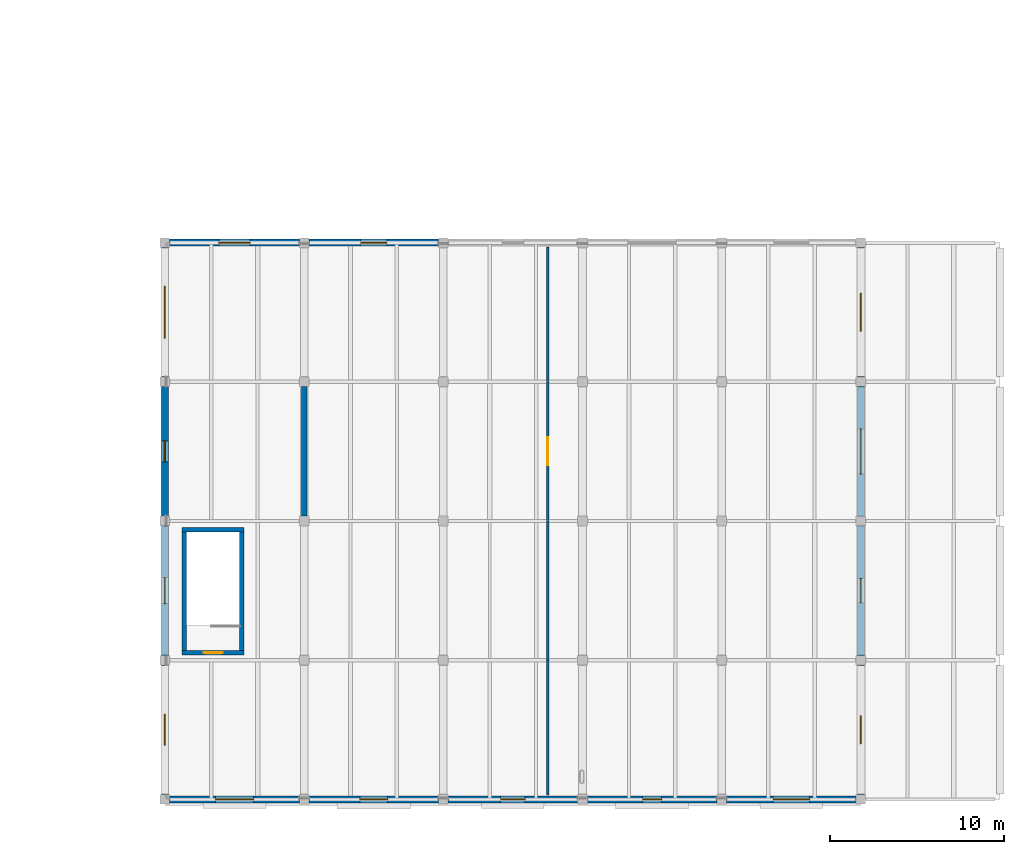
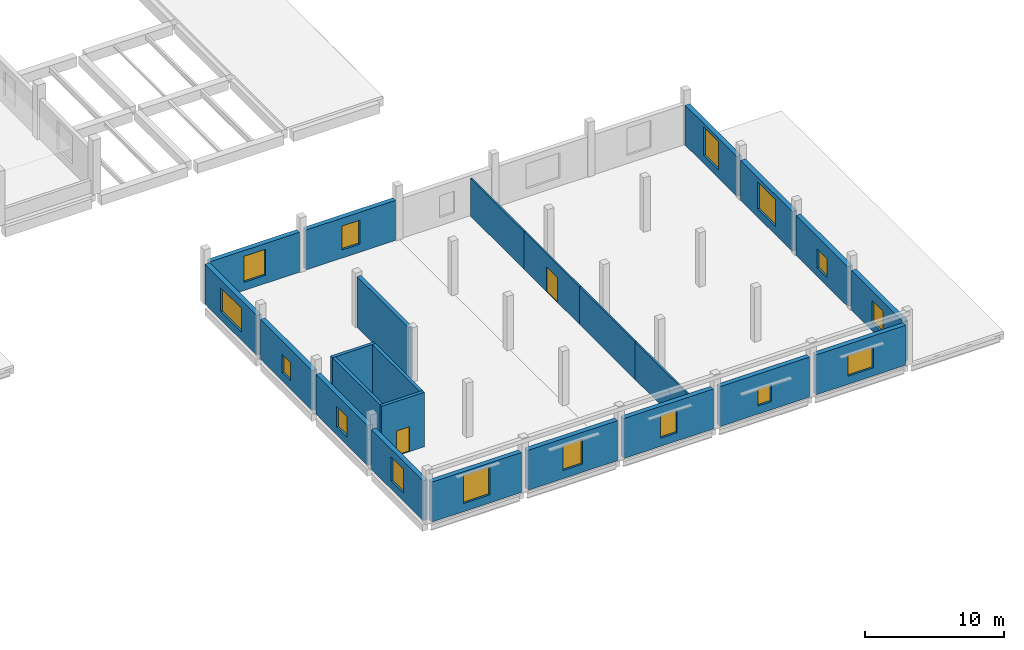
# One storey, part 34 of 52: 24 walls, 15 windows, 2 doors, 17 openings.
"""IFC4 building model written with IfcOpenShell, lengths in metres."""

from ifc_helpers import new_model, si_unit, direction, frame, frame_2d, origin, place, context, subcontext, project, spatial, rectangle, extrude, material, layer, layer_set, type_object, element, fill, save


model = new_model("IFC4")

# Units and contexts
model_context = context("Model", 3, precision=1e-05, world=origin(), true_north=direction((0.0, 1.0)))
body_context = subcontext(model_context, "Body", "Model", "MODEL_VIEW")
ifc_project = project(units=[si_unit("LENGTHUNIT", "METRE"), si_unit("AREAUNIT", "SQUARE_METRE"), si_unit("VOLUMEUNIT", "CUBIC_METRE"), si_unit("PLANEANGLEUNIT", "RADIAN"), si_unit("MASSUNIT", "GRAM", prefix="KILO")], contexts=[model_context])

# Site, building, storey
site_placement = place(None, origin())
site = spatial("IfcSite", under=ifc_project, at=site_placement, CompositionType="ELEMENT")
building_placement = place(site_placement, origin())
building = spatial("IfcBuilding", under=site, at=building_placement, Name="Pecanmere Concourse Central Library", CompositionType="ELEMENT")
storey_placement = place(building_placement, frame((0.0, 0.0, 10.5)))
storey = spatial("IfcBuildingStorey", under=building, at=storey_placement, Name="L03", CompositionType="ELEMENT", Elevation=10.5)

# Wall, opening, window
ifc_material_1 = material(Name="Texas cream limestone ashlar masonry", Category="masonry")
ifc_layer_1 = layer(ifc_material_1, 0.389892578125, Name="EW_LIME_390")
ifc_layer_set_1 = layer_set([ifc_layer_1], Name="Texas cream limestone ashlar masonry")
wall_type_1 = type_object("IfcWallType", Name="EW_LIME_390", PredefinedType="STANDARD", material=ifc_layer_set_1)
wall_1_placement = place(storey_placement, frame((128.27001953125, 0.0, 0.0), z_axis=(0.0, 0.0, 1.0), x_axis=(1.0, 0.0, 0.0)))
wall_1 = element("IfcWall", 1, at=wall_1_placement, inside=storey, type_object=wall_type_1, Name="Limestone Facade Wall L03-0110", PredefinedType="STANDARD", context=body_context, shape_type="SweptSolid", body=[
    extrude(rectangle(XDim=7.4599609375, YDim=0.389892578125, at=frame_2d((3.72998046875, 0.0))), origin(), (0.0, 0.0, 1.0), 3.52001953125),
])
opening_1_placement = place(wall_1_placement, frame((2.6298828125, 0.0, 0.719970703125)))
opening_1 = element("IfcOpeningElement", 2, at=opening_1_placement, cuts=wall_1, Name="Opening WN-02", PredefinedType="OPENING", context=body_context, shape_type="SweptSolid", body=[
    extrude(rectangle(XDim=2.199951171875, YDim=2.5, at=frame_2d((1.10009765625, 1.25))), frame((0.0, 0.20703125, 0.0), z_axis=(0.0, -1.0, 0.0), x_axis=(1.0, 0.0, 0.0)), (0.0, 0.0, 1.0), 0.413818359375),
])
ifc_material_2 = material(Name="Low-iron clear insulated glazing", Category="glass")
window_type_1 = type_object("IfcWindowType", Name="WIN_2200x2500", PartitioningType="SINGLE_PANEL", PredefinedType="WINDOW", material=ifc_material_2)
window_1_placement = place(opening_1_placement, origin())
window_1 = element("IfcWindow", 3, at=window_1_placement, inside=storey, type_object=window_type_1, Name="WN-095", OverallHeight=2.5, OverallWidth=2.199951171875, PartitioningType="SINGLE_PANEL", PredefinedType="WINDOW", context=body_context, shape_type="SweptSolid", body=[
    extrude(rectangle(XDim=2.199951171875, YDim=2.5, at=frame_2d((1.10009765625, 1.25))), frame((0.0, 0.030029296875, 0.0), z_axis=(0.0, -1.0, 0.0), x_axis=(1.0, 0.0, 0.0)), (0.0, 0.0, 1.0), 0.06005859375),
])
fill(opening_1, window_1)

wall_2_placement = place(storey_placement, frame((135.72998046875, 32.0, 0.0), z_axis=(0.0, 0.0, 1.0), x_axis=(-1.0, 0.0, 0.0)))
wall_2 = element("IfcWall", 4, at=wall_2_placement, inside=storey, type_object=wall_type_1, Name="Limestone Facade Wall L03-0111", PredefinedType="STANDARD", context=body_context, shape_type="SweptSolid", body=[
    extrude(rectangle(XDim=7.4599609375, YDim=0.389892578125, at=frame_2d((3.72998046875, 0.0))), origin(), (0.0, 0.0, 1.0), 3.52001953125),
])
opening_2_placement = place(wall_2_placement, frame((2.830078125, 0.0, 0.719970703125)))
opening_2 = element("IfcOpeningElement", 5, at=opening_2_placement, cuts=wall_2, Name="Opening WN-04", PredefinedType="OPENING", context=body_context, shape_type="SweptSolid", body=[
    extrude(rectangle(XDim=1.800048828125, YDim=2.300048828125, at=frame_2d((0.89990234375, 1.14990234375))), frame((0.0, 0.20703125, 0.0), z_axis=(0.0, -1.0, 0.0), x_axis=(1.0, 0.0, 0.0)), (0.0, 0.0, 1.0), 0.413818359375),
])
ifc_material_3 = material(Name="Low-iron clear insulated glazing", Category="glass")
window_type_2 = type_object("IfcWindowType", Name="WIN_1800x2300", PartitioningType="SINGLE_PANEL", PredefinedType="WINDOW", material=ifc_material_3)
window_2_placement = place(opening_2_placement, origin())
window_2 = element("IfcWindow", 6, at=window_2_placement, inside=storey, type_object=window_type_2, Name="WN-096", OverallHeight=2.300048828125, OverallWidth=1.800048828125, PartitioningType="SINGLE_PANEL", PredefinedType="WINDOW", context=body_context, shape_type="SweptSolid", body=[
    extrude(rectangle(XDim=1.800048828125, YDim=2.300048828125, at=frame_2d((0.89990234375, 1.14990234375))), frame((0.0, 0.030029296875, 0.0), z_axis=(0.0, -1.0, 0.0), x_axis=(1.0, 0.0, 0.0)), (0.0, 0.0, 1.0), 0.06005859375),
])
fill(opening_2, window_2)

wall_3_placement = place(storey_placement, frame((136.27001953125, 0.0, 0.0), z_axis=(0.0, 0.0, 1.0), x_axis=(1.0, 0.0, 0.0)))
wall_3 = element("IfcWall", 7, at=wall_3_placement, inside=storey, type_object=wall_type_1, Name="Limestone Facade Wall L03-0112", PredefinedType="STANDARD", context=body_context, shape_type="SweptSolid", body=[
    extrude(rectangle(XDim=7.4599609375, YDim=0.389892578125, at=frame_2d((3.72998046875, 0.0))), origin(), (0.0, 0.0, 1.0), 3.52001953125),
])
opening_3_placement = place(wall_3_placement, frame((2.929931640625, 0.0, 0.719970703125)))
opening_3 = element("IfcOpeningElement", 8, at=opening_3_placement, cuts=wall_3, Name="Opening WN-06", PredefinedType="OPENING", context=body_context, shape_type="SweptSolid", body=[
    extrude(rectangle(XDim=1.60009765625, YDim=2.199951171875, at=frame_2d((0.800048828125, 1.10009765625))), frame((0.0, 0.20703125, 0.0), z_axis=(0.0, -1.0, 0.0), x_axis=(1.0, 0.0, 0.0)), (0.0, 0.0, 1.0), 0.413818359375),
])
ifc_material_4 = material(Name="Low-iron clear insulated glazing", Category="glass")
window_type_3 = type_object("IfcWindowType", Name="WIN_1600x2200", PartitioningType="SINGLE_PANEL", PredefinedType="WINDOW", material=ifc_material_4)
window_3_placement = place(opening_3_placement, origin())
window_3 = element("IfcWindow", 9, at=window_3_placement, inside=storey, type_object=window_type_3, Name="WN-097", OverallHeight=2.199951171875, OverallWidth=1.60009765625, PartitioningType="SINGLE_PANEL", PredefinedType="WINDOW", context=body_context, shape_type="SweptSolid", body=[
    extrude(rectangle(XDim=1.60009765625, YDim=2.199951171875, at=frame_2d((0.800048828125, 1.10009765625))), frame((0.0, 0.030029296875, 0.0), z_axis=(0.0, -1.0, 0.0), x_axis=(1.0, 0.0, 0.0)), (0.0, 0.0, 1.0), 0.06005859375),
])
fill(opening_3, window_3)

wall_4_placement = place(storey_placement, frame((143.72998046875, 32.0, 0.0), z_axis=(0.0, 0.0, 1.0), x_axis=(-1.0, 0.0, 0.0)))
wall_4 = element("IfcWall", 10, at=wall_4_placement, inside=storey, type_object=wall_type_1, Name="Limestone Facade Wall L03-0113", PredefinedType="STANDARD", context=body_context, shape_type="SweptSolid", body=[
    extrude(rectangle(XDim=7.4599609375, YDim=0.389892578125, at=frame_2d((3.72998046875, 0.0))), origin(), (0.0, 0.0, 1.0), 3.52001953125),
])
opening_4_placement = place(wall_4_placement, frame((2.97998046875, 0.0, 0.719970703125)))
opening_4 = element("IfcOpeningElement", 11, at=opening_4_placement, cuts=wall_4, Name="Opening WN-08", PredefinedType="OPENING", context=body_context, shape_type="SweptSolid", body=[
    extrude(rectangle(XDim=1.5, YDim=2.10009765625, at=frame_2d((0.75, 1.050048828125))), frame((0.0, 0.20703125, 0.0), z_axis=(0.0, -1.0, 0.0), x_axis=(1.0, 0.0, 0.0)), (0.0, 0.0, 1.0), 0.413818359375),
])
ifc_material_5 = material(Name="Low-iron clear insulated glazing", Category="glass")
window_type_4 = type_object("IfcWindowType", Name="WIN_1500x2100", PartitioningType="SINGLE_PANEL", PredefinedType="WINDOW", material=ifc_material_5)
window_4_placement = place(opening_4_placement, origin())
window_4 = element("IfcWindow", 12, at=window_4_placement, inside=storey, type_object=window_type_4, Name="WN-098", OverallHeight=2.10009765625, OverallWidth=1.5, PartitioningType="SINGLE_PANEL", PredefinedType="WINDOW", context=body_context, shape_type="SweptSolid", body=[
    extrude(rectangle(XDim=1.5, YDim=2.10009765625, at=frame_2d((0.75, 1.050048828125))), frame((0.0, 0.030029296875, 0.0), z_axis=(0.0, -1.0, 0.0), x_axis=(1.0, 0.0, 0.0)), (0.0, 0.0, 1.0), 0.06005859375),
])
fill(opening_4, window_4)

wall_5_placement = place(storey_placement, frame((144.27001953125, 0.0, 0.0), z_axis=(0.0, 0.0, 1.0), x_axis=(1.0, 0.0, 0.0)))
wall_5 = element("IfcWall", 13, at=wall_5_placement, inside=storey, type_object=wall_type_1, Name="Limestone Facade Wall L03-0114", PredefinedType="STANDARD", context=body_context, shape_type="SweptSolid", body=[
    extrude(rectangle(XDim=7.4599609375, YDim=0.389892578125, at=frame_2d((3.72998046875, 0.0))), origin(), (0.0, 0.0, 1.0), 3.52001953125),
])
opening_5_placement = place(wall_5_placement, frame((3.030029296875, 0.0, 0.719970703125)))
opening_5 = element("IfcOpeningElement", 14, at=opening_5_placement, cuts=wall_5, Name="Opening WN-10", PredefinedType="OPENING", context=body_context, shape_type="SweptSolid", body=[
    extrude(rectangle(XDim=1.39990234375, YDim=2.0, at=frame_2d((0.699951171875, 1.0))), frame((0.0, 0.20703125, 0.0), z_axis=(0.0, -1.0, 0.0), x_axis=(1.0, 0.0, 0.0)), (0.0, 0.0, 1.0), 0.413818359375),
])
ifc_material_6 = material(Name="Low-iron clear insulated glazing", Category="glass")
window_type_5 = type_object("IfcWindowType", Name="WIN_1400x2000", PartitioningType="SINGLE_PANEL", PredefinedType="WINDOW", material=ifc_material_6)
window_5_placement = place(opening_5_placement, origin())
window_5 = element("IfcWindow", 15, at=window_5_placement, inside=storey, type_object=window_type_5, Name="WN-099", OverallHeight=2.0, OverallWidth=1.39990234375, PartitioningType="SINGLE_PANEL", PredefinedType="WINDOW", context=body_context, shape_type="SweptSolid", body=[
    extrude(rectangle(XDim=1.39990234375, YDim=2.0, at=frame_2d((0.699951171875, 1.0))), frame((0.0, 0.030029296875, 0.0), z_axis=(0.0, -1.0, 0.0), x_axis=(1.0, 0.0, 0.0)), (0.0, 0.0, 1.0), 0.06005859375),
])
fill(opening_5, window_5)

wall_6_placement = place(storey_placement, frame((152.27001953125, 0.0, 0.0), z_axis=(0.0, 0.0, 1.0), x_axis=(1.0, 0.0, 0.0)))
wall_6 = element("IfcWall", 16, at=wall_6_placement, inside=storey, type_object=wall_type_1, Name="Limestone Facade Wall L03-0116", PredefinedType="STANDARD", context=body_context, shape_type="SweptSolid", body=[
    extrude(rectangle(XDim=7.4599609375, YDim=0.389892578125, at=frame_2d((3.72998046875, 0.0))), origin(), (0.0, 0.0, 1.0), 3.52001953125),
])
opening_6_placement = place(wall_6_placement, frame((3.179931640625, 0.0, 0.719970703125)))
opening_6 = element("IfcOpeningElement", 17, at=opening_6_placement, cuts=wall_6, Name="Opening WN-14", PredefinedType="OPENING", context=body_context, shape_type="SweptSolid", body=[
    extrude(rectangle(XDim=1.10009765625, YDim=1.5, at=frame_2d((0.550048828125, 0.75))), frame((0.0, 0.20703125, 0.0), z_axis=(0.0, -1.0, 0.0), x_axis=(1.0, 0.0, 0.0)), (0.0, 0.0, 1.0), 0.413818359375),
])
ifc_material_7 = material(Name="Low-iron clear insulated glazing", Category="glass")
window_type_6 = type_object("IfcWindowType", Name="WIN_1100x1500", PartitioningType="SINGLE_PANEL", PredefinedType="WINDOW", material=ifc_material_7)
window_6_placement = place(opening_6_placement, origin())
window_6 = element("IfcWindow", 18, at=window_6_placement, inside=storey, type_object=window_type_6, Name="WN-101", OverallHeight=1.5, OverallWidth=1.10009765625, PartitioningType="SINGLE_PANEL", PredefinedType="WINDOW", context=body_context, shape_type="SweptSolid", body=[
    extrude(rectangle(XDim=1.10009765625, YDim=1.5, at=frame_2d((0.550048828125, 0.75))), frame((0.0, 0.030029296875, 0.0), z_axis=(0.0, -1.0, 0.0), x_axis=(1.0, 0.0, 0.0)), (0.0, 0.0, 1.0), 0.06005859375),
])
fill(opening_6, window_6)

wall_7_placement = place(storey_placement, frame((160.27001953125, 0.0, 0.0), z_axis=(0.0, 0.0, 1.0), x_axis=(1.0, 0.0, 0.0)))
wall_7 = element("IfcWall", 19, at=wall_7_placement, inside=storey, type_object=wall_type_1, Name="Limestone Facade Wall L03-0118", PredefinedType="STANDARD", context=body_context, shape_type="SweptSolid", body=[
    extrude(rectangle(XDim=7.4599609375, YDim=0.389892578125, at=frame_2d((3.72998046875, 0.0))), origin(), (0.0, 0.0, 1.0), 3.52001953125),
])
opening_7_placement = place(wall_7_placement, frame((2.679931640625, 0.0, 0.719970703125)))
opening_7 = element("IfcOpeningElement", 20, at=opening_7_placement, cuts=wall_7, Name="Opening WN-18", PredefinedType="OPENING", context=body_context, shape_type="SweptSolid", body=[
    extrude(rectangle(XDim=2.10009765625, YDim=1.85009765625, at=frame_2d((1.050048828125, 0.925048828125))), frame((0.0, 0.20703125, 0.0), z_axis=(0.0, -1.0, 0.0), x_axis=(1.0, 0.0, 0.0)), (0.0, 0.0, 1.0), 0.413818359375),
])
ifc_material_8 = material(Name="Low-iron clear insulated glazing", Category="glass")
window_type_7 = type_object("IfcWindowType", Name="WIN_2100x1850", PartitioningType="SINGLE_PANEL", PredefinedType="WINDOW", material=ifc_material_8)
window_7_placement = place(opening_7_placement, origin())
window_7 = element("IfcWindow", 21, at=window_7_placement, inside=storey, type_object=window_type_7, Name="WN-103", OverallHeight=1.85009765625, OverallWidth=2.10009765625, PartitioningType="SINGLE_PANEL", PredefinedType="WINDOW", context=body_context, shape_type="SweptSolid", body=[
    extrude(rectangle(XDim=2.10009765625, YDim=1.85009765625, at=frame_2d((1.050048828125, 0.925048828125))), frame((0.0, 0.030029296875, 0.0), z_axis=(0.0, -1.0, 0.0), x_axis=(1.0, 0.0, 0.0)), (0.0, 0.0, 1.0), 0.06005859375),
])
fill(opening_7, window_7)

wall_8_placement = place(storey_placement, frame((128.0, 7.72998046875, 0.0), z_axis=(0.0, 0.0, 1.0), x_axis=(0.0, -1.0, 0.0)))
wall_8 = element("IfcWall", 22, at=wall_8_placement, inside=storey, type_object=wall_type_1, Name="Limestone Facade Wall L03-0120", PredefinedType="STANDARD", context=body_context, shape_type="SweptSolid", body=[
    extrude(rectangle(XDim=7.4599609375, YDim=0.389892578125, at=frame_2d((3.72998046875, 0.0))), origin(), (0.0, 0.0, 1.0), 3.52001953125),
])
opening_8_placement = place(wall_8_placement, frame((2.830078125, 0.0, 0.719970703125)))
opening_8 = element("IfcOpeningElement", 23, at=opening_8_placement, cuts=wall_8, Name="Opening WN-05", PredefinedType="OPENING", context=body_context, shape_type="SweptSolid", body=[
    extrude(rectangle(XDim=1.800048828125, YDim=2.10009765625, at=frame_2d((0.89990234375, 1.050048828125))), frame((0.0, 0.20703125, 0.0), z_axis=(0.0, -1.0, 0.0), x_axis=(1.0, 0.0, 0.0)), (0.0, 0.0, 1.0), 0.413818359375),
])
ifc_material_9 = material(Name="Low-iron clear insulated glazing", Category="glass")
window_type_8 = type_object("IfcWindowType", Name="WIN_1800x2100", PartitioningType="SINGLE_PANEL", PredefinedType="WINDOW", material=ifc_material_9)
window_8_placement = place(opening_8_placement, origin())
window_8 = element("IfcWindow", 24, at=window_8_placement, inside=storey, type_object=window_type_8, Name="WN-105", OverallHeight=2.10009765625, OverallWidth=1.800048828125, PartitioningType="SINGLE_PANEL", PredefinedType="WINDOW", context=body_context, shape_type="SweptSolid", body=[
    extrude(rectangle(XDim=1.800048828125, YDim=2.10009765625, at=frame_2d((0.89990234375, 1.050048828125))), frame((0.0, 0.030029296875, 0.0), z_axis=(0.0, -1.0, 0.0), x_axis=(1.0, 0.0, 0.0)), (0.0, 0.0, 1.0), 0.06005859375),
])
fill(opening_8, window_8)

wall_9_placement = place(storey_placement, frame((168.0, 0.27001953125, 0.0), z_axis=(0.0, 0.0, 1.0), x_axis=(0.0, 1.0, 0.0)))
wall_9 = element("IfcWall", 25, at=wall_9_placement, inside=storey, type_object=wall_type_1, Name="Limestone Facade Wall L03-0121", PredefinedType="STANDARD", context=body_context, shape_type="SweptSolid", body=[
    extrude(rectangle(XDim=7.4599609375, YDim=0.389892578125, at=frame_2d((3.72998046875, 0.0))), origin(), (0.0, 0.0, 1.0), 3.52001953125),
])
opening_9_placement = place(wall_9_placement, frame((2.929931640625, 0.0, 0.719970703125)))
opening_9 = element("IfcOpeningElement", 26, at=opening_9_placement, cuts=wall_9, Name="Opening WN-07", PredefinedType="OPENING", context=body_context, shape_type="SweptSolid", body=[
    extrude(rectangle(XDim=1.60009765625, YDim=1.949951171875, at=frame_2d((0.800048828125, 0.97509765625))), frame((0.0, 0.20703125, 0.0), z_axis=(0.0, -1.0, 0.0), x_axis=(1.0, 0.0, 0.0)), (0.0, 0.0, 1.0), 0.413818359375),
])
ifc_material_10 = material(Name="Low-iron clear insulated glazing", Category="glass")
window_type_9 = type_object("IfcWindowType", Name="WIN_1600x1950", PartitioningType="SINGLE_PANEL", PredefinedType="WINDOW", material=ifc_material_10)
window_9_placement = place(opening_9_placement, origin())
window_9 = element("IfcWindow", 27, at=window_9_placement, inside=storey, type_object=window_type_9, Name="WN-106", OverallHeight=1.949951171875, OverallWidth=1.60009765625, PartitioningType="SINGLE_PANEL", PredefinedType="WINDOW", context=body_context, shape_type="SweptSolid", body=[
    extrude(rectangle(XDim=1.60009765625, YDim=1.949951171875, at=frame_2d((0.800048828125, 0.97509765625))), frame((0.0, 0.030029296875, 0.0), z_axis=(0.0, -1.0, 0.0), x_axis=(1.0, 0.0, 0.0)), (0.0, 0.0, 1.0), 0.06005859375),
])
fill(opening_9, window_9)

wall_10_placement = place(storey_placement, frame((128.0, 15.72998046875, 0.0), z_axis=(0.0, 0.0, 1.0), x_axis=(0.0, -1.0, 0.0)))
wall_10 = element("IfcWall", 28, at=wall_10_placement, inside=storey, type_object=wall_type_1, Name="Limestone Facade Wall L03-0122", PredefinedType="STANDARD", context=body_context, shape_type="SweptSolid", body=[
    extrude(rectangle(XDim=7.4599609375, YDim=0.389892578125, at=frame_2d((3.72998046875, 0.0))), origin(), (0.0, 0.0, 1.0), 3.52001953125),
])
opening_10_placement = place(wall_10_placement, frame((2.97998046875, 0.0, 0.719970703125)))
opening_10 = element("IfcOpeningElement", 29, at=opening_10_placement, cuts=wall_10, Name="Opening WN-09", PredefinedType="OPENING", context=body_context, shape_type="SweptSolid", body=[
    extrude(rectangle(XDim=1.5, YDim=1.800048828125, at=frame_2d((0.75, 0.89990234375))), frame((0.0, 0.20703125, 0.0), z_axis=(0.0, -1.0, 0.0), x_axis=(1.0, 0.0, 0.0)), (0.0, 0.0, 1.0), 0.413818359375),
])
ifc_material_11 = material(Name="Low-iron clear insulated glazing", Category="glass")
window_type_10 = type_object("IfcWindowType", Name="WIN_1500x1800", PartitioningType="SINGLE_PANEL", PredefinedType="WINDOW", material=ifc_material_11)
window_10_placement = place(opening_10_placement, origin())
window_10 = element("IfcWindow", 30, at=window_10_placement, inside=storey, type_object=window_type_10, Name="WN-107", OverallHeight=1.800048828125, OverallWidth=1.5, PartitioningType="SINGLE_PANEL", PredefinedType="WINDOW", context=body_context, shape_type="SweptSolid", body=[
    extrude(rectangle(XDim=1.5, YDim=1.800048828125, at=frame_2d((0.75, 0.89990234375))), frame((0.0, 0.030029296875, 0.0), z_axis=(0.0, -1.0, 0.0), x_axis=(1.0, 0.0, 0.0)), (0.0, 0.0, 1.0), 0.06005859375),
])
fill(opening_10, window_10)

wall_11_placement = place(storey_placement, frame((168.0, 8.27001953125, 0.0), z_axis=(0.0, 0.0, 1.0), x_axis=(0.0, 1.0, 0.0)))
wall_11 = element("IfcWall", 31, at=wall_11_placement, inside=storey, type_object=wall_type_1, Name="Limestone Facade Wall L03-0123", PredefinedType="STANDARD", context=body_context, shape_type="SweptSolid", body=[
    extrude(rectangle(XDim=7.4599609375, YDim=0.389892578125, at=frame_2d((3.72998046875, 0.0))), origin(), (0.0, 0.0, 1.0), 3.52001953125),
])
opening_11_placement = place(wall_11_placement, frame((3.030029296875, 0.0, 0.719970703125)))
opening_11 = element("IfcOpeningElement", 32, at=opening_11_placement, cuts=wall_11, Name="Opening WN-11", PredefinedType="OPENING", context=body_context, shape_type="SweptSolid", body=[
    extrude(rectangle(XDim=1.39990234375, YDim=1.699951171875, at=frame_2d((0.699951171875, 0.85009765625))), frame((0.0, 0.20703125, 0.0), z_axis=(0.0, -1.0, 0.0), x_axis=(1.0, 0.0, 0.0)), (0.0, 0.0, 1.0), 0.413818359375),
])
ifc_material_12 = material(Name="Low-iron clear insulated glazing", Category="glass")
window_type_11 = type_object("IfcWindowType", Name="WIN_1400x1700", PartitioningType="SINGLE_PANEL", PredefinedType="WINDOW", material=ifc_material_12)
window_11_placement = place(opening_11_placement, origin())
window_11 = element("IfcWindow", 33, at=window_11_placement, inside=storey, type_object=window_type_11, Name="WN-108", OverallHeight=1.699951171875, OverallWidth=1.39990234375, PartitioningType="SINGLE_PANEL", PredefinedType="WINDOW", context=body_context, shape_type="SweptSolid", body=[
    extrude(rectangle(XDim=1.39990234375, YDim=1.699951171875, at=frame_2d((0.699951171875, 0.85009765625))), frame((0.0, 0.030029296875, 0.0), z_axis=(0.0, -1.0, 0.0), x_axis=(1.0, 0.0, 0.0)), (0.0, 0.0, 1.0), 0.06005859375),
])
fill(opening_11, window_11)

wall_12_placement = place(storey_placement, frame((128.0, 23.72998046875, 0.0), z_axis=(0.0, 0.0, 1.0), x_axis=(0.0, -1.0, 0.0)))
wall_12 = element("IfcWall", 34, at=wall_12_placement, inside=storey, type_object=wall_type_1, Name="Limestone Facade Wall L03-0124", PredefinedType="STANDARD", context=body_context, shape_type="SweptSolid", body=[
    extrude(rectangle(XDim=7.4599609375, YDim=0.389892578125, at=frame_2d((3.72998046875, 0.0))), origin(), (0.0, 0.0, 1.0), 3.52001953125),
])
opening_12_placement = place(wall_12_placement, frame((3.1298828125, 0.0, 0.719970703125)))
opening_12 = element("IfcOpeningElement", 35, at=opening_12_placement, cuts=wall_12, Name="Opening WN-13", PredefinedType="OPENING", context=body_context, shape_type="SweptSolid", body=[
    extrude(rectangle(XDim=1.199951171875, YDim=1.60009765625, at=frame_2d((0.60009765625, 0.800048828125))), frame((0.0, 0.20703125, 0.0), z_axis=(0.0, -1.0, 0.0), x_axis=(1.0, 0.0, 0.0)), (0.0, 0.0, 1.0), 0.413818359375),
])
ifc_material_13 = material(Name="Low-iron clear insulated glazing", Category="glass")
window_type_12 = type_object("IfcWindowType", Name="WIN_1200x1600", PartitioningType="SINGLE_PANEL", PredefinedType="WINDOW", material=ifc_material_13)
window_12_placement = place(opening_12_placement, origin())
window_12 = element("IfcWindow", 36, at=window_12_placement, inside=storey, type_object=window_type_12, Name="WN-109", OverallHeight=1.60009765625, OverallWidth=1.199951171875, PartitioningType="SINGLE_PANEL", PredefinedType="WINDOW", context=body_context, shape_type="SweptSolid", body=[
    extrude(rectangle(XDim=1.199951171875, YDim=1.60009765625, at=frame_2d((0.60009765625, 0.800048828125))), frame((0.0, 0.030029296875, 0.0), z_axis=(0.0, -1.0, 0.0), x_axis=(1.0, 0.0, 0.0)), (0.0, 0.0, 1.0), 0.06005859375),
])
fill(opening_12, window_12)

wall_13_placement = place(storey_placement, frame((168.0, 16.27001953125, 0.0), z_axis=(0.0, 0.0, 1.0), x_axis=(0.0, 1.0, 0.0)))
wall_13 = element("IfcWall", 37, at=wall_13_placement, inside=storey, type_object=wall_type_1, Name="Limestone Facade Wall L03-0125", PredefinedType="STANDARD", context=body_context, shape_type="SweptSolid", body=[
    extrude(rectangle(XDim=7.4599609375, YDim=0.389892578125, at=frame_2d((3.72998046875, 0.0))), origin(), (0.0, 0.0, 1.0), 3.52001953125),
])
opening_13_placement = place(wall_13_placement, frame((2.429931640625, 0.0, 0.719970703125)))
opening_13 = element("IfcOpeningElement", 38, at=opening_13_placement, cuts=wall_13, Name="Opening WN-15", PredefinedType="OPENING", context=body_context, shape_type="SweptSolid", body=[
    extrude(rectangle(XDim=2.60009765625, YDim=2.39990234375, at=frame_2d((1.300048828125, 1.199951171875))), frame((0.0, 0.20703125, 0.0), z_axis=(0.0, -1.0, 0.0), x_axis=(1.0, 0.0, 0.0)), (0.0, 0.0, 1.0), 0.413818359375),
])
ifc_material_14 = material(Name="Low-iron clear insulated glazing", Category="glass")
window_type_13 = type_object("IfcWindowType", Name="WIN_2600x2400", PartitioningType="SINGLE_PANEL", PredefinedType="WINDOW", material=ifc_material_14)
window_13_placement = place(opening_13_placement, origin())
window_13 = element("IfcWindow", 39, at=window_13_placement, inside=storey, type_object=window_type_13, Name="WN-110", OverallHeight=2.39990234375, OverallWidth=2.60009765625, PartitioningType="SINGLE_PANEL", PredefinedType="WINDOW", context=body_context, shape_type="SweptSolid", body=[
    extrude(rectangle(XDim=2.60009765625, YDim=2.39990234375, at=frame_2d((1.300048828125, 1.199951171875))), frame((0.0, 0.030029296875, 0.0), z_axis=(0.0, -1.0, 0.0), x_axis=(1.0, 0.0, 0.0)), (0.0, 0.0, 1.0), 0.06005859375),
])
fill(opening_13, window_13)

wall_14_placement = place(storey_placement, frame((128.0, 31.72998046875, 0.0), z_axis=(0.0, 0.0, 1.0), x_axis=(0.0, -1.0, 0.0)))
wall_14 = element("IfcWall", 40, at=wall_14_placement, inside=storey, type_object=wall_type_1, Name="Limestone Facade Wall L03-0126", PredefinedType="STANDARD", context=body_context, shape_type="SweptSolid", body=[
    extrude(rectangle(XDim=7.4599609375, YDim=0.389892578125, at=frame_2d((3.72998046875, 0.0))), origin(), (0.0, 0.0, 1.0), 3.52001953125),
])
opening_14_placement = place(wall_14_placement, frame((2.22998046875, 0.0, 0.719970703125)))
opening_14 = element("IfcOpeningElement", 41, at=opening_14_placement, cuts=wall_14, Name="Opening WN-17", PredefinedType="OPENING", context=body_context, shape_type="SweptSolid", body=[
    extrude(rectangle(XDim=3.0, YDim=2.10009765625, at=frame_2d((1.5, 1.050048828125))), frame((0.0, 0.20703125, 0.0), z_axis=(0.0, -1.0, 0.0), x_axis=(1.0, 0.0, 0.0)), (0.0, 0.0, 1.0), 0.413818359375),
])
ifc_material_15 = material(Name="Low-iron clear insulated glazing", Category="glass")
window_type_14 = type_object("IfcWindowType", Name="WIN_3000x2100", PartitioningType="SINGLE_PANEL", PredefinedType="WINDOW", material=ifc_material_15)
window_14_placement = place(opening_14_placement, origin())
window_14 = element("IfcWindow", 42, at=window_14_placement, inside=storey, type_object=window_type_14, Name="WN-111", OverallHeight=2.10009765625, OverallWidth=3.0, PartitioningType="SINGLE_PANEL", PredefinedType="WINDOW", context=body_context, shape_type="SweptSolid", body=[
    extrude(rectangle(XDim=3.0, YDim=2.10009765625, at=frame_2d((1.5, 1.050048828125))), frame((0.0, 0.030029296875, 0.0), z_axis=(0.0, -1.0, 0.0), x_axis=(1.0, 0.0, 0.0)), (0.0, 0.0, 1.0), 0.06005859375),
])
fill(opening_14, window_14)

wall_15_placement = place(storey_placement, frame((168.0, 24.27001953125, 0.0), z_axis=(0.0, 0.0, 1.0), x_axis=(0.0, 1.0, 0.0)))
wall_15 = element("IfcWall", 43, at=wall_15_placement, inside=storey, type_object=wall_type_1, Name="Limestone Facade Wall L03-0127", PredefinedType="STANDARD", context=body_context, shape_type="SweptSolid", body=[
    extrude(rectangle(XDim=7.4599609375, YDim=0.389892578125, at=frame_2d((3.72998046875, 0.0))), origin(), (0.0, 0.0, 1.0), 3.52001953125),
])
opening_15_placement = place(wall_15_placement, frame((2.6298828125, 0.0, 0.719970703125)))
opening_15 = element("IfcOpeningElement", 44, at=opening_15_placement, cuts=wall_15, Name="Opening WN-02", PredefinedType="OPENING", context=body_context, shape_type="SweptSolid", body=[
    extrude(rectangle(XDim=2.199951171875, YDim=2.5, at=frame_2d((1.10009765625, 1.25))), frame((0.0, 0.20703125, 0.0), z_axis=(0.0, -1.0, 0.0), x_axis=(1.0, 0.0, 0.0)), (0.0, 0.0, 1.0), 0.413818359375),
])
window_15_placement = place(opening_15_placement, origin())
window_15 = element("IfcWindow", 45, at=window_15_placement, inside=storey, type_object=window_type_1, Name="WN-112", OverallHeight=2.5, OverallWidth=2.199951171875, PartitioningType="SINGLE_PANEL", PredefinedType="WINDOW", context=body_context, shape_type="SweptSolid", body=[
    extrude(rectangle(XDim=2.199951171875, YDim=2.5, at=frame_2d((1.10009765625, 1.25))), frame((0.0, 0.030029296875, 0.0), z_axis=(0.0, -1.0, 0.0), x_axis=(1.0, 0.0, 0.0)), (0.0, 0.0, 1.0), 0.06005859375),
])
fill(opening_15, window_15)

# Walls
ifc_material_16 = material(Name="Fire-rated gypsum board on acoustic steel stud", Category="steel")
ifc_layer_2 = layer(ifc_material_16, 0.135009765625, Name="IW_PART_135")
ifc_layer_set_2 = layer_set([ifc_layer_2], Name="Fire-rated gypsum board on acoustic steel stud")
wall_type_2 = type_object("IfcWallType", Name="IW_PART_135", PredefinedType="PARTITIONING", material=ifc_layer_set_2)
wall_16_placement = place(storey_placement, frame((150.0, 0.25, 0.0), z_axis=(0.0, 0.0, 1.0), x_axis=(0.0, 1.0, 0.0)))
element("IfcWall", 46, at=wall_16_placement, inside=storey, type_object=wall_type_2, Name="Interior Partition L03-0184", PredefinedType="PARTITIONING", context=body_context, shape_type="SweptSolid", body=[
    extrude(rectangle(XDim=7.75, YDim=0.135009765625, at=frame_2d((3.875, 0.0))), origin(), (0.0, 0.0, 1.0), 3.330078125),
])
wall_17_placement = place(storey_placement, frame((150.0, 8.02001953125, 0.0), z_axis=(0.0, 0.0, 1.0), x_axis=(0.0, 1.0, 0.0)))
element("IfcWall", 47, at=wall_17_placement, inside=storey, type_object=wall_type_2, Name="Interior Partition L03-0185", PredefinedType="PARTITIONING", context=body_context, shape_type="SweptSolid", body=[
    extrude(rectangle(XDim=7.97998046875, YDim=0.135009765625, at=frame_2d((3.989990234375, 0.0))), origin(), (0.0, 0.0, 1.0), 3.330078125),
])

# Wall, opening, door
wall_18_placement = place(storey_placement, frame((150.0, 16.02001953125, 0.0), z_axis=(0.0, 0.0, 1.0), x_axis=(0.0, 1.0, 0.0)))
wall_18 = element("IfcWall", 48, at=wall_18_placement, inside=storey, type_object=wall_type_2, Name="Interior Partition L03-0186", PredefinedType="PARTITIONING", context=body_context, shape_type="SweptSolid", body=[
    extrude(rectangle(XDim=7.97998046875, YDim=0.135009765625, at=frame_2d((3.989990234375, 0.0))), origin(), (0.0, 0.0, 1.0), 3.330078125),
])
opening_16_placement = place(wall_18_placement, frame((3.18994140625, 0.0, 0.0)))
opening_16 = element("IfcOpeningElement", 49, at=opening_16_placement, cuts=wall_18, Name="Opening DT-02", PredefinedType="OPENING", context=body_context, shape_type="SweptSolid", body=[
    extrude(rectangle(XDim=1.60009765625, YDim=2.199951171875, at=frame_2d((0.800048828125, 1.10009765625))), frame((0.0, 0.07958984375, 0.0), z_axis=(0.0, -1.0, 0.0), x_axis=(1.0, 0.0, 0.0)), (0.0, 0.0, 1.0), 0.158935546875),
])
ifc_material_17 = material(Name="Solid white oak architectural joinery")
door_type_1 = type_object("IfcDoorType", Name="DT-02", OperationType="DOUBLE_DOOR_SINGLE_SWING", PredefinedType="DOOR", material=ifc_material_17)
door_1_placement = place(opening_16_placement, origin())
door_1 = element("IfcDoor", 50, at=door_1_placement, inside=storey, type_object=door_type_1, Name="D-214", OperationType="DOUBLE_DOOR_SINGLE_SWING", OverallHeight=2.199951171875, OverallWidth=1.60009765625, PredefinedType="DOOR", context=body_context, shape_type="SweptSolid", body=[
    extrude(rectangle(XDim=1.60009765625, YDim=2.199951171875, at=frame_2d((0.800048828125, 1.10009765625))), frame((0.0, 0.02490234375, 0.0), z_axis=(0.0, -1.0, 0.0), x_axis=(1.0, 0.0, 0.0)), (0.0, 0.0, 1.0), 0.050048828125),
])
fill(opening_16, door_1)

# Walls
wall_19_placement = place(storey_placement, frame((150.0, 24.02001953125, 0.0), z_axis=(0.0, 0.0, 1.0), x_axis=(0.0, 1.0, 0.0)))
element("IfcWall", 51, at=wall_19_placement, inside=storey, type_object=wall_type_2, Name="Interior Partition L03-0187", PredefinedType="PARTITIONING", context=body_context, shape_type="SweptSolid", body=[
    extrude(rectangle(XDim=7.72998046875, YDim=0.135009765625, at=frame_2d((3.864990234375, 0.0))), origin(), (0.0, 0.0, 1.0), 3.330078125),
])
ifc_material_18 = material(Name="Concrete C40/50", Category="concrete")
ifc_layer_3 = layer(ifc_material_18, 0.320068359375, Name="WALL_SHR_320")
ifc_layer_set_3 = layer_set([ifc_layer_3], Name="Concrete C40/50")
wall_type_3 = type_object("IfcWallType", Name="WALL_SHR_320", PredefinedType="SHEAR", material=ifc_layer_set_3)
wall_20_placement = place(storey_placement, frame((136.0, 16.27490234375, 0.0), z_axis=(0.0, 0.0, 1.0), x_axis=(0.0, 1.0, 0.0)))
element("IfcWall", 52, at=wall_20_placement, inside=storey, type_object=wall_type_3, Name="Lateral Shear Wall L03-038", PredefinedType="SHEAR", context=body_context, shape_type="SweptSolid", body=[
    extrude(rectangle(XDim=7.4501953125, YDim=0.320068359375, at=frame_2d((3.72509765625, 0.0))), origin(), (0.0, 0.0, 1.0), 4.47998046875),
])

# Wall, opening, door
ifc_material_19 = material(Name="Concrete C40/50", Category="concrete")
ifc_layer_4 = layer(ifc_material_19, 0.260009765625, Name="WALL_SLD_260")
ifc_layer_set_4 = layer_set([ifc_layer_4], Name="Concrete C40/50")
wall_type_4 = type_object("IfcWallType", Name="WALL_SLD_260", PredefinedType="SOLIDWALL", material=ifc_layer_set_4)
wall_21_placement = place(storey_placement, frame((128.97998046875, 8.419921875, 0.0), z_axis=(0.0, 0.0, 1.0), x_axis=(1.0, 0.0, 0.0)))
wall_21 = element("IfcWall", 53, at=wall_21_placement, inside=storey, type_object=wall_type_4, Name="Core C8 South Wall L03", PredefinedType="SOLIDWALL", context=body_context, shape_type="SweptSolid", body=[
    extrude(rectangle(XDim=3.580078125, YDim=0.260009765625, at=frame_2d((1.7900390625, 0.0))), origin(), (0.0, 0.0, 1.0), 4.800048828125),
])
opening_17_placement = place(wall_21_placement, frame((1.239990234375, 0.0, 0.0)))
opening_17 = element("IfcOpeningElement", 54, at=opening_17_placement, cuts=wall_21, Name="Opening FD-02", PredefinedType="OPENING", context=body_context, shape_type="SweptSolid", body=[
    extrude(rectangle(XDim=1.10009765625, YDim=2.199951171875, at=frame_2d((0.550048828125, 1.10009765625))), frame((0.0, 0.14208984375, 0.0), z_axis=(0.0, -1.0, 0.0), x_axis=(1.0, 0.0, 0.0)), (0.0, 0.0, 1.0), 0.283935546875),
])
ifc_material_20 = material(Name="Painted architectural steel ASTM A36", Category="steel")
door_type_2 = type_object("IfcDoorType", Name="FD-02", OperationType="SINGLE_SWING_RIGHT", PredefinedType="DOOR", material=ifc_material_20)
door_2_placement = place(opening_17_placement, origin())
door_2 = element("IfcDoor", 55, at=door_2_placement, inside=storey, type_object=door_type_2, Name="D-052", OperationType="SINGLE_SWING_RIGHT", OverallHeight=2.199951171875, OverallWidth=1.10009765625, PredefinedType="DOOR", context=body_context, shape_type="SweptSolid", body=[
    extrude(rectangle(XDim=1.10009765625, YDim=2.199951171875, at=frame_2d((0.550048828125, 1.10009765625))), frame((0.0, 0.02490234375, 0.0), z_axis=(0.0, -1.0, 0.0), x_axis=(1.0, 0.0, 0.0)), (0.0, 0.0, 1.0), 0.050048828125),
])
fill(opening_17, door_2)

# Walls
wall_22_placement = place(storey_placement, frame((128.97998046875, 15.5, 0.0), z_axis=(0.0, 0.0, 1.0), x_axis=(1.0, 0.0, 0.0)))
element("IfcWall", 56, at=wall_22_placement, inside=storey, type_object=wall_type_4, Name="Core C8 North Wall L03", PredefinedType="SOLIDWALL", context=body_context, shape_type="SweptSolid", body=[
    extrude(rectangle(XDim=3.580078125, YDim=0.260009765625, at=frame_2d((1.7900390625, 0.0))), origin(), (0.0, 0.0, 1.0), 4.800048828125),
])
for number, where, z_axis, x_axis, name in (
    (57, (129.110107421875, 8.550048828125, 0.0), (0.0, 0.0, 1.0), (0.0, 1.0, 0.0), "Core C8 W Wall L03"),
    (58, (132.429931640625, 8.550048828125, 0.0), (0.0, 0.0, 1.0), (0.0, 1.0, 0.0), "Core C8 E Wall L03"),
):
    element("IfcWall", number, at=place(storey_placement, frame(where, z_axis=z_axis, x_axis=x_axis)), inside=storey, type_object=wall_type_4, Name=name, PredefinedType="SOLIDWALL", context=body_context, shape_type="SweptSolid", body=[
        extrude(rectangle(XDim=6.820068359375, YDim=0.260009765625, at=frame_2d((3.41015625, 0.0))), origin(), (0.0, 0.0, 1.0), 4.800048828125),
    ])

save(model, "model.ifc")
